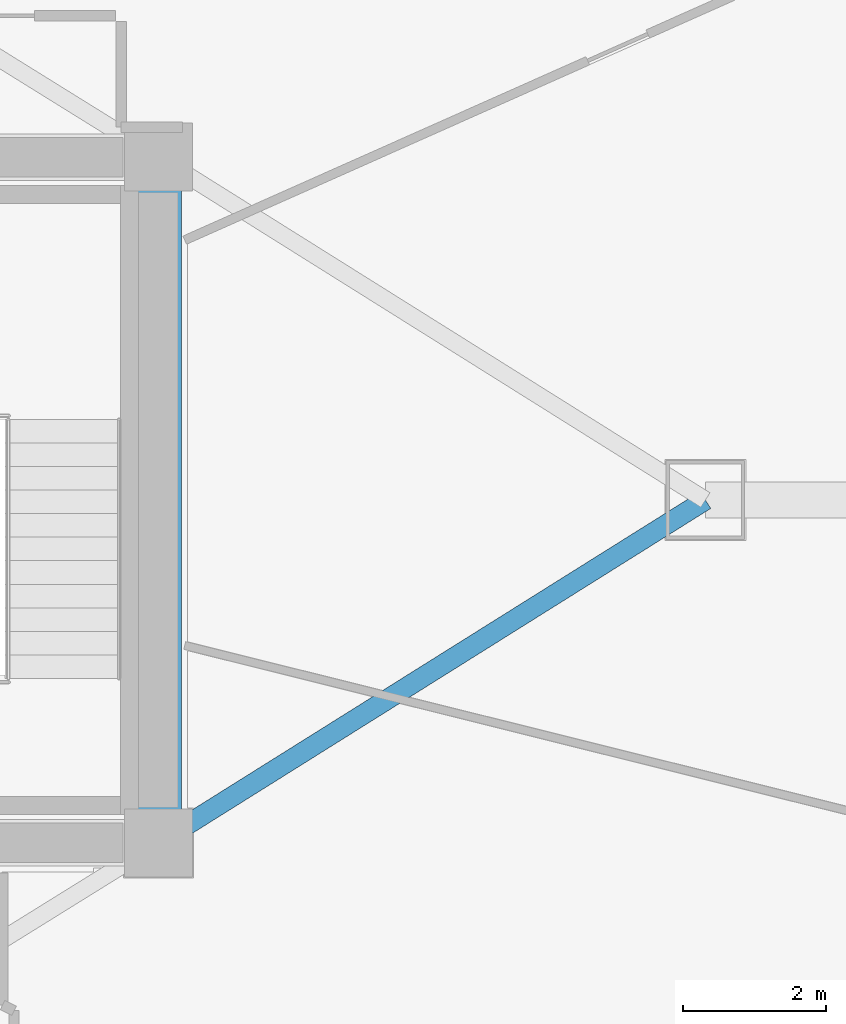
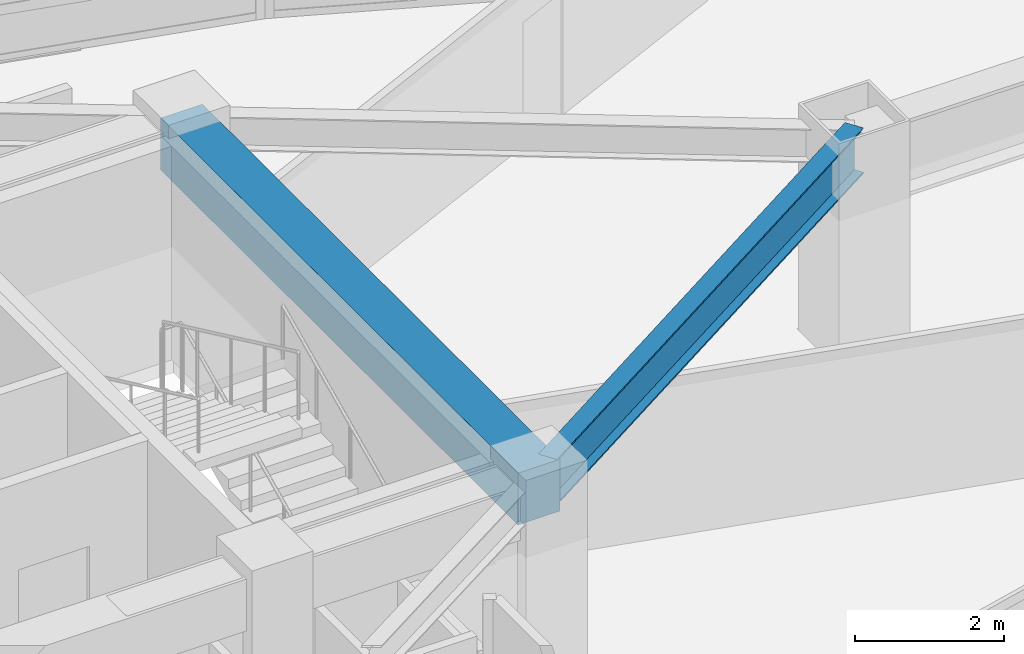
# One storey, part 6 of 18: 2 beams.
"""IFC4 building model written with IfcOpenShell, lengths in metres."""

import ifcopenshell
import ifcopenshell.guid

model = None  # the IFC model being written
_history = None  # IfcOwnerHistory: only IFC2X3 demands one
_inside = {}  # id of a spatial element -> (the spatial element, [elements in it])
_under = {}  # id of a project, library or spatial element -> (it, [spatial elements below it])
_declared = {}  # id of a project -> (the project, [libraries it declares])
_typed = {}  # id of a type object -> (the type object, [elements of that type])
_made_of = {}  # id of a material, layer set ... -> (it, [elements and type objects made of it])


def new_model(schema):
    """Start an empty IFC model of exactly this schema.

    Asked for "IFC4X3", IfcOpenShell would pick the latest addendum, in which some entities
    have other attributes; the version numbers below select the first issue.
    IFC2X3 requires an IfcOwnerHistory on every rooted entity: one is made here for all.
    """
    global model, _history
    if schema == "IFC4X3":
        model = ifcopenshell.file(schema_version=(4, 3, 0, 0))
    else:
        model = ifcopenshell.file(schema=schema)
    _inside.clear()
    _under.clear()
    _declared.clear()
    _typed.clear()
    _made_of.clear()
    _history = None
    if model.schema == "IFC2X3":
        org = make("IfcOrganization", Name="unknown")
        user = make(
            "IfcPersonAndOrganization",
            ThePerson=make("IfcPerson", FamilyName="unknown"),
            TheOrganization=org,
        )
        app = make(
            "IfcApplication",
            ApplicationDeveloper=org,
            Version="unknown",
            ApplicationFullName="unknown",
            ApplicationIdentifier="unknown",
        )
        _history = make(
            "IfcOwnerHistory",
            OwningUser=user,
            OwningApplication=app,
            ChangeAction="ADDED",
            CreationDate=0,
        )
    return model


def make(cls, **values):
    """One entity of the class cls with the attributes given. An attribute that is None is left unset."""
    return model.create_entity(
        cls, **{name: value for name, value in values.items() if value is not None}
    )


def rooted(cls, **values):
    """An entity with a GlobalId (a new one), such as an element, a storey or a relation."""
    return make(cls, GlobalId=ifcopenshell.guid.new(), OwnerHistory=_history, **values)


def si_unit(unit_type, name, prefix=None):
    """IfcSIUnit, for example si_unit("LENGTHUNIT", "METRE", prefix="MILLI")."""
    return make("IfcSIUnit", UnitType=unit_type, Prefix=prefix, Name=name)


def assignment(units):
    """IfcUnitAssignment: the units of a project."""
    return None if units is None else make("IfcUnitAssignment", Units=units)


def point(xyz):
    """IfcCartesianPoint."""
    return None if xyz is None else make("IfcCartesianPoint", Coordinates=xyz)


def direction(xyz):
    """IfcDirection."""
    return None if xyz is None else make("IfcDirection", DirectionRatios=xyz)


def frame(location, z_axis=None, x_axis=None):
    """IfcAxis2Placement3D, a coordinate frame: its origin and axes. An axis left out is left unset."""
    return make(
        "IfcAxis2Placement3D",
        Location=point(location),
        Axis=direction(z_axis),
        RefDirection=direction(x_axis),
    )


def frame_2d(location, x_axis=None):
    """IfcAxis2Placement2D, a coordinate frame in the plane: its origin and x axis."""
    return make(
        "IfcAxis2Placement2D", Location=point(location), RefDirection=direction(x_axis)
    )


def origin():
    """The frame at (0, 0, 0) with its axes left unset."""
    return frame((0.0, 0.0, 0.0))


def origin_2d():
    """The frame at (0, 0) in the plane with its x axis left unset."""
    return frame_2d((0.0, 0.0))


def place(relative_to, where):
    """IfcLocalPlacement: puts the frame where relative to a parent placement (None: the world)."""
    return make(
        "IfcLocalPlacement", PlacementRelTo=relative_to, RelativePlacement=where
    )


def context(
    kind, dimensions, precision=None, world=None, true_north=None, identifier=None
):
    """IfcGeometricRepresentationContext, for example the 3D "Model" context."""
    return make(
        "IfcGeometricRepresentationContext",
        ContextIdentifier=identifier,
        ContextType=kind,
        CoordinateSpaceDimension=dimensions,
        Precision=precision,
        WorldCoordinateSystem=world,
        TrueNorth=true_north,
    )


def subcontext(parent, identifier, kind, view, scale=None):
    """IfcGeometricRepresentationSubContext, for example "Body" below "Model"."""
    return make(
        "IfcGeometricRepresentationSubContext",
        ContextIdentifier=identifier,
        ContextType=kind,
        ParentContext=parent,
        TargetScale=scale,
        TargetView=view,
    )


def project(units=None, contexts=None):
    """IfcProject with its units and contexts."""
    return rooted(
        "IfcProject",
        Name="project",
        RepresentationContexts=contexts,
        UnitsInContext=assignment(units),
    )


def spatial(cls, under=None, at=None, **own):
    """A site, building, storey or space (cls), placed at a placement, below another one or the project."""
    s = rooted(cls, ObjectPlacement=at, **own)
    if under is not None:
        _under.setdefault(under.id(), (under, []))[1].append(s)
    return s


def profile(cls, at=None, kind="AREA", **sizes):
    """A parametric profile (cls). Its sizes go by their IFC names, for example OverallWidth=200.0."""
    return make(cls, ProfileType=kind, Position=at, **sizes)


def rectangle(**sizes):
    """IfcRectangleProfileDef."""
    return profile("IfcRectangleProfileDef", **sizes)


def i_section(**sizes):
    """IfcIShapeProfileDef."""
    return profile("IfcIShapeProfileDef", **sizes)


def extrude(swept, where, along, depth):
    """IfcExtrudedAreaSolid: the profile swept, set in the frame where, extruded along a direction by depth."""
    return make(
        "IfcExtrudedAreaSolid",
        SweptArea=swept,
        Position=where,
        ExtrudedDirection=direction(along),
        Depth=depth,
    )


def shape(context_of_items, identifier, shape_type, items):
    """IfcShapeRepresentation: the items that make up one representation, for example the "Body"."""
    return make(
        "IfcShapeRepresentation",
        ContextOfItems=context_of_items,
        RepresentationIdentifier=identifier,
        RepresentationType=shape_type,
        Items=items,
    )


def material(Name=None, Category=None):
    """IfcMaterial."""
    return make("IfcMaterial", Name=Name, Category=Category)


def material_profile(
    of_material, cross_section, Name=None, Category=None, Priority=None
):
    """IfcMaterialProfile: a cross section and its material."""
    return make(
        "IfcMaterialProfile",
        Name=Name,
        Material=of_material,
        Profile=cross_section,
        Priority=Priority,
        Category=Category,
    )


def profile_set(profiles, Name=None, composite=None):
    """IfcMaterialProfileSet."""
    return make(
        "IfcMaterialProfileSet",
        Name=Name,
        MaterialProfiles=profiles,
        CompositeProfile=composite,
    )


def made_of(thing, what):
    """Note that an element or type object is made of a material, layer set ...; save() writes the relation."""
    if what is not None:
        _made_of.setdefault(what.id(), (what, []))[1].append(thing)
    return thing


def type_object(cls, material=None, **own):
    """A type object (cls), such as IfcWallType, which elements share."""
    return made_of(rooted(cls, **own), material)


def element(
    cls,
    number,
    at=None,
    inside=None,
    cuts=None,
    type_object=None,
    material=None,
    context=None,
    identifier="Body",
    shape_type=None,
    held_by="IfcProductDefinitionShape",
    body=None,
    shapes=None,
    **own,
):
    """One element of the class cls, such as IfcWall. Its Tag is "e" and its number.

    at: its placement. inside: the storey or other place that contains it. cuts: it is an
    opening in that element (IfcRelVoidsElement). A single representation is given by context,
    identifier, shape_type and body (its items); several are given by shapes. held_by: the class
    of the entity that holds the representations. save() writes the other relations.
    """
    e = rooted(cls, Tag="e%d" % number, ObjectPlacement=at, **own)
    if body is not None:
        shapes = [shape(context, identifier, shape_type, body)]
    if shapes is not None:
        e.Representation = make(held_by, Representations=shapes)
    if inside is not None:
        _inside.setdefault(inside.id(), (inside, []))[1].append(e)
    if cuts is not None:
        rooted(
            "IfcRelVoidsElement", RelatingBuildingElement=cuts, RelatedOpeningElement=e
        )
    if type_object is not None:
        _typed.setdefault(type_object.id(), (type_object, []))[1].append(e)
    return made_of(e, material)


def aggregate(whole, parts):
    """IfcRelAggregates: a whole, such as a stair, and the parts it consists of."""
    return rooted("IfcRelAggregates", RelatingObject=whole, RelatedObjects=parts)


def save(model, path):
    """Write the relations noted so far, then the file.

    IfcRelAggregates (storeys below a building ...), IfcRelContainedInSpatialStructure (elements
    in a storey), IfcRelDefinesByType, IfcRelAssociatesMaterial and IfcRelDeclares: one each for
    every whole, place, type object, material and project.
    """
    for whole, parts in _under.values():
        aggregate(whole, parts)
    for where, things in _inside.values():
        rooted(
            "IfcRelContainedInSpatialStructure",
            RelatedElements=things,
            RelatingStructure=where,
        )
    for kind, things in _typed.values():
        rooted("IfcRelDefinesByType", RelatedObjects=things, RelatingType=kind)
    for what, things in _made_of.values():
        rooted("IfcRelAssociatesMaterial", RelatedObjects=things, RelatingMaterial=what)
    for by, libraries in _declared.values():
        rooted("IfcRelDeclares", RelatingContext=by, RelatedDefinitions=libraries)
    model.write(path)


model = new_model("IFC4")

# Units and contexts
model_context = context("Model", 3, precision=1e-05, world=origin(), true_north=direction((0.0, 1.0)))
body_context = subcontext(model_context, "Body", "Model", "MODEL_VIEW")
ifc_project = project(units=[si_unit("LENGTHUNIT", "METRE"), si_unit("AREAUNIT", "SQUARE_METRE"), si_unit("VOLUMEUNIT", "CUBIC_METRE"), si_unit("PLANEANGLEUNIT", "RADIAN"), si_unit("MASSUNIT", "GRAM", prefix="KILO")], contexts=[model_context])

# Site, building, storey
site_placement = place(None, origin())
site = spatial("IfcSite", under=ifc_project, at=site_placement, CompositionType="ELEMENT")
building_placement = place(site_placement, origin())
building = spatial("IfcBuilding", under=site, at=building_placement, Name="Menara Vayukalpa", CompositionType="ELEMENT")
storey_placement = place(building_placement, frame((0.0, 0.0, 161.760009765625)))
storey = spatial("IfcBuildingStorey", under=building, at=storey_placement, Name="L40", CompositionType="ELEMENT", Elevation=161.760009765625)

# Beams
ifc_material_1 = material(Name="Concrete C60/75", Category="concrete")
ifc_material_profile_1 = material_profile(ifc_material_1, rectangle(XDim=0.64990234375, YDim=0.85009765625, at=origin_2d()), Name="RC 650x850")
ifc_profile_set_1 = profile_set([ifc_material_profile_1], Name="Concrete C60/75")
beam_type_1 = type_object("IfcBeamType", Name="BM-CB1", PredefinedType="BEAM", material=ifc_profile_set_1)
beam_1_placement = place(storey_placement, frame((33.39990234375, 17.199951171875, 3.074951171875), z_axis=(0.0, 1.0, 0.0), x_axis=(-1.0, 0.0, 0.0)))
element("IfcBeam", 1, at=beam_1_placement, inside=storey, type_object=beam_type_1, Name="L40 Core Tie Beam CBR8", PredefinedType="BEAM", context=body_context, shape_type="SweptSolid", body=[
    extrude(rectangle(XDim=0.64990234375, YDim=0.85009765625, at=origin_2d()), origin(), (0.0, 0.0, 1.0), 9.60009765625),
])
ifc_material_2 = material(Name="Steel S355", Category="steel")
ifc_material_profile_2 = material_profile(ifc_material_2, i_section(OverallWidth=0.280029296875, OverallDepth=0.75, WebThickness=0.013916015625, FlangeThickness=0.02490234375, at=origin_2d()), Name="WF 750x280x14x25")
ifc_profile_set_2 = profile_set([ifc_material_profile_2], Name="Steel S355")
beam_type_2 = type_object("IfcBeamType", Name="BM-PG4", PredefinedType="BEAM", material=ifc_profile_set_2)
beam_2_placement = place(storey_placement, frame((33.61181640625, 17.332763671875, 3.125), z_axis=(0.847348467727, 0.531037262573, 0.0), x_axis=(-0.531037262573, 0.847348467727, 0.0)))
element("IfcBeam", 2, at=beam_2_placement, inside=storey, type_object=beam_type_2, Name="L40 Primary Radial Girder RG01", PredefinedType="BEAM", context=body_context, shape_type="SweptSolid", body=[
    extrude(i_section(OverallWidth=0.280029296875, OverallDepth=0.75, WebThickness=0.013916015625, FlangeThickness=0.02490234375, at=origin_2d()), origin(), (0.0, 0.0, 1.0), 8.788818359375),
])

save(model, "model.ifc")
